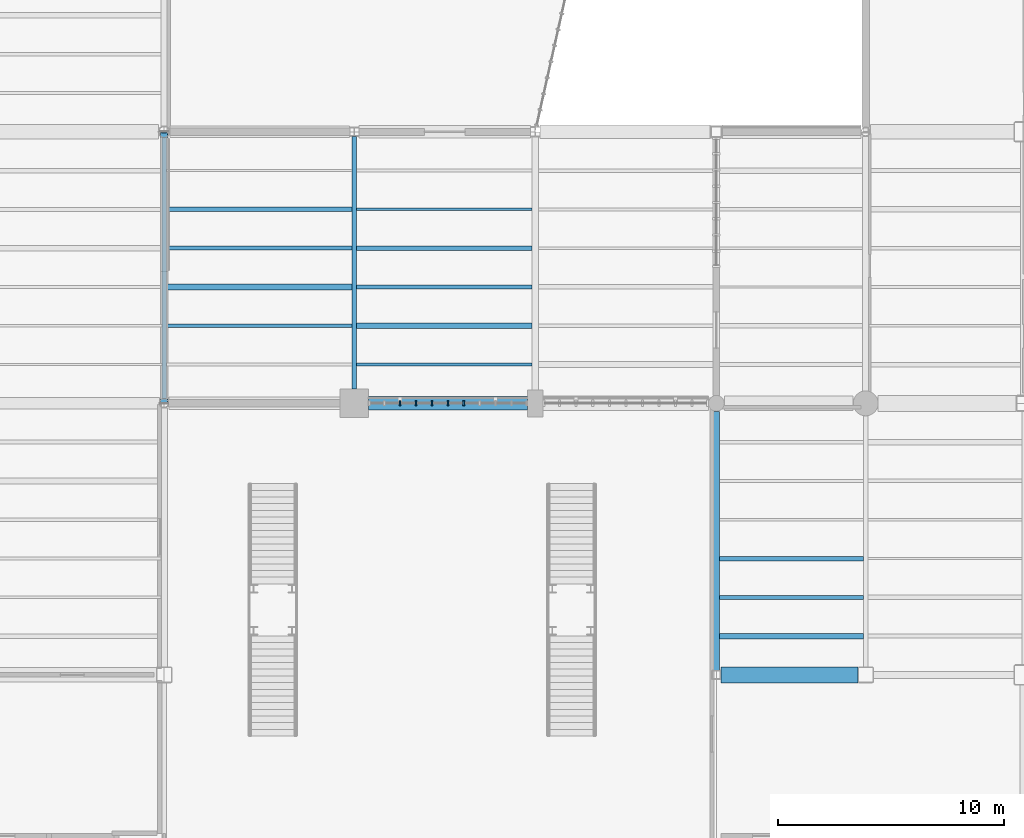
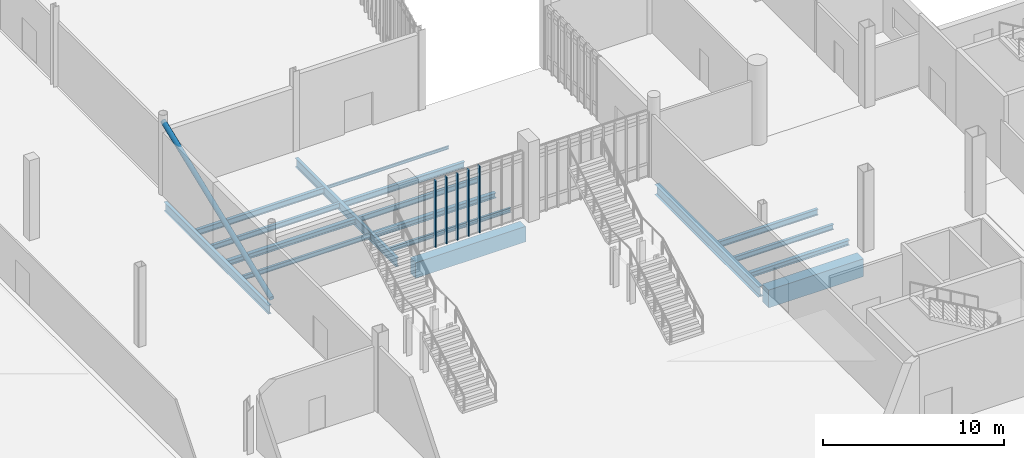
# One storey, part 21 of 111: 17 beams, 6 members, 1 element without a shape of its own.
"""IFC4 building model written with IfcOpenShell, lengths in metres."""

from ifc_helpers import new_model, si_unit, direction, frame, origin, origin_2d, place, context, subcontext, project, spatial, rectangle, hollow_circle, i_section, extrude, material, material_profile, profile_set, type_object, element, aggregate, save


model = new_model("IFC4")

# Units and contexts
model_context = context("Model", 3, precision=1e-05, world=origin(), true_north=direction((0.0, 1.0)))
body_context = subcontext(model_context, "Body", "Model", "MODEL_VIEW")
ifc_project = project(units=[si_unit("LENGTHUNIT", "METRE"), si_unit("AREAUNIT", "SQUARE_METRE"), si_unit("VOLUMEUNIT", "CUBIC_METRE"), si_unit("PLANEANGLEUNIT", "RADIAN"), si_unit("MASSUNIT", "GRAM", prefix="KILO")], contexts=[model_context])

# Site, building, storey
site_placement = place(None, origin())
site = spatial("IfcSite", under=ifc_project, at=site_placement, CompositionType="ELEMENT")
building_placement = place(site_placement, origin())
building = spatial("IfcBuilding", under=site, at=building_placement, Name="Larkvane Passage Sports Hall", CompositionType="ELEMENT")
storey_placement = place(building_placement, origin())
storey = spatial("IfcBuildingStorey", under=building, at=storey_placement, Name="L00", CompositionType="ELEMENT", Elevation=0.0)

# Beams
ifc_material_1 = material(Name="Concrete C50/60", Category="concrete")
ifc_material_profile_1 = material_profile(ifc_material_1, rectangle(XDim=0.60009765625, YDim=1.050048828125, at=origin_2d()), Name="RC-BM-600x1050")
ifc_profile_set_1 = profile_set([ifc_material_profile_1], Name="Concrete C50/60")
beam_type_1 = type_object("IfcBeamType", Name="BM-RC-600x1050", PredefinedType="BEAM", material=ifc_profile_set_1)
beam_1_placement = place(storey_placement, frame((102.625, 51.60009765625, -0.945068359375), z_axis=(1.0, 0.0, 0.0), x_axis=(0.0, 1.0, 0.0)))
element("IfcBeam", 1, at=beam_1_placement, inside=storey, type_object=beam_type_1, Name="Girder BM5-X-L00-G-0036", PredefinedType="BEAM", context=body_context, shape_type="SweptSolid", body=[
    extrude(rectangle(XDim=0.60009765625, YDim=1.050048828125, at=origin_2d()), origin(), (0.0, 0.0, 1.0), 7.02490234375),
])
ifc_material_profile_2 = material_profile(ifc_material_1, rectangle(XDim=0.699951171875, YDim=1.199951171875, at=origin_2d()), Name="RC-BM-700x1200")
ifc_profile_set_2 = profile_set([ifc_material_profile_2], Name="Concrete C50/60")
beam_type_2 = type_object("IfcBeamType", Name="BM-RC-700x1200", PredefinedType="BEAM", material=ifc_profile_set_2)
beam_2_placement = place(storey_placement, frame((118.199951171875, 39.60009765625, -1.02001953125), z_axis=(1.0, 0.0, 0.0), x_axis=(0.0, 1.0, 0.0)))
element("IfcBeam", 2, at=beam_2_placement, inside=storey, type_object=beam_type_2, Name="Girder BM5-X-L00-F-0026", PredefinedType="BEAM", context=body_context, shape_type="SweptSolid", body=[
    extrude(rectangle(XDim=0.699951171875, YDim=1.199951171875, at=origin_2d()), origin(), (0.0, 0.0, 1.0), 6.050048828125),
])
ifc_material_2 = material(Name="Steel S355JR", Category="steel")
ifc_material_profile_3 = material_profile(ifc_material_2, i_section(OverallWidth=0.199951171875, OverallDepth=0.60009765625, WebThickness=0.010986328125, FlangeThickness=0.01708984375, FilletRadius=0.01806640625, at=origin_2d()), Name="H-600x200x11x17")
ifc_profile_set_3 = profile_set([ifc_material_profile_3], Name="Steel S355JR")
beam_type_3 = type_object("IfcBeamType", Name="BM-STL-H600", PredefinedType="BEAM", material=ifc_profile_set_3)
beam_3_placement = place(storey_placement, frame((93.60009765625, 51.80322265625, -0.719970703125), z_axis=(0.0, 1.0, 0.0), x_axis=(-1.0, 0.0, 0.0)))
element("IfcBeam", 3, at=beam_3_placement, inside=storey, type_object=beam_type_3, Name="Girder BM5-Y-L00-13-0117", PredefinedType="BEAM", context=body_context, shape_type="SweptSolid", body=[
    extrude(i_section(OverallWidth=0.199951171875, OverallDepth=0.60009765625, WebThickness=0.010986328125, FlangeThickness=0.01708984375, FilletRadius=0.01806640625, at=origin_2d()), origin(), (0.0, 0.0, 1.0), 11.542724609375),
])
beam_4_placement = place(storey_placement, frame((102.0, 52.22509765625, -0.719970703125), z_axis=(0.0, 1.0, 0.0), x_axis=(-1.0, 0.0, 0.0)))
element("IfcBeam", 4, at=beam_4_placement, inside=storey, type_object=beam_type_3, Name="Girder BM5-Y-L00-14-0121", PredefinedType="BEAM", context=body_context, shape_type="SweptSolid", body=[
    extrude(i_section(OverallWidth=0.199951171875, OverallDepth=0.60009765625, WebThickness=0.010986328125, FlangeThickness=0.01708984375, FilletRadius=0.01806640625, at=origin_2d()), origin(), (0.0, 0.0, 1.0), 11.16796875),
])
ifc_material_3 = material(Name="Steel S460N", Category="steel")
ifc_material_profile_4 = material_profile(ifc_material_3, i_section(OverallWidth=0.300048828125, OverallDepth=0.699951171875, WebThickness=0.012939453125, FlangeThickness=0.02392578125, FilletRadius=0.02197265625, at=origin_2d()), Name="H-700x300x13x24")
ifc_profile_set_4 = profile_set([ifc_material_profile_4], Name="Steel S460N")
beam_type_4 = type_object("IfcBeamType", Name="BM-STL-H700", PredefinedType="BEAM", material=ifc_profile_set_4)
beam_5_placement = place(storey_placement, frame((118.0, 39.800048828125, -0.77001953125), z_axis=(0.0, 1.0, 0.0), x_axis=(-1.0, 0.0, 0.0)))
element("IfcBeam", 5, at=beam_5_placement, inside=storey, type_object=beam_type_4, Name="Girder BM5-Y-L00-16-0123", PredefinedType="BEAM", context=body_context, shape_type="SweptSolid", body=[
    extrude(i_section(OverallWidth=0.300048828125, OverallDepth=0.699951171875, WebThickness=0.012939453125, FlangeThickness=0.02392578125, FilletRadius=0.02197265625, at=origin_2d()), origin(), (0.0, 0.0, 1.0), 11.449951171875),
])

# Curtain wall, members
ifc_material_4 = material(Name="Thermally broken aluminium and low-E glazing", Category="aluminium")
curtain_wall_type = type_object("IfcCurtainWallType", Name="CW-UNIT-VEIL", PredefinedType="USERDEFINED", material=ifc_material_4)
curtain_wall_placement = place(storey_placement, origin())
curtain_wall = element("IfcCurtainWall", 6, at=curtain_wall_placement, inside=storey, type_object=curtain_wall_type, Name="Curtain wall CW5-L00-017", ObjectType="UNITISED CURTAIN WALL", PredefinedType="USERDEFINED")
ifc_material_5 = material(Name="Anodised aluminium 6063-T6", Category="aluminium")
ifc_material_profile_5 = material_profile(ifc_material_5, rectangle(XDim=0.074951171875, YDim=0.22509765625, at=origin_2d()), Name="ALU-MUL-75x225")
ifc_profile_set_5 = profile_set([ifc_material_profile_5], Name="Anodised aluminium 6063-T6")
member_type_1 = type_object("IfcMemberType", Name="CW-MUL-75x225", PredefinedType="MULLION", material=ifc_profile_set_5)
member_1_placement = place(storey_placement, frame((104.027587890625, 51.60009765625, 0.0), z_axis=(0.0, 0.0, 1.0), x_axis=(1.0, 0.0, 0.0)))
member_1 = element("IfcMember", 7, at=member_1_placement, type_object=member_type_1, Name="CW-02 mullion 3", PredefinedType="MULLION", context=body_context, shape_type="SweptSolid", body=[
    extrude(rectangle(XDim=0.074951171875, YDim=0.22509765625, at=origin_2d()), origin(), (0.0, 0.0, 1.0), 4.47998046875),
])
member_2_placement = place(storey_placement, frame((104.73095703125, 51.60009765625, 0.0), z_axis=(0.0, 0.0, 1.0), x_axis=(1.0, 0.0, 0.0)))
member_2 = element("IfcMember", 8, at=member_2_placement, type_object=member_type_1, Name="CW-02 mullion 4", PredefinedType="MULLION", context=body_context, shape_type="SweptSolid", body=[
    extrude(rectangle(XDim=0.074951171875, YDim=0.22509765625, at=origin_2d()), origin(), (0.0, 0.0, 1.0), 4.47998046875),
])
member_3_placement = place(storey_placement, frame((105.43408203125, 51.60009765625, 0.0), z_axis=(0.0, 0.0, 1.0), x_axis=(1.0, 0.0, 0.0)))
member_3 = element("IfcMember", 9, at=member_3_placement, type_object=member_type_1, Name="CW-02 mullion 5", PredefinedType="MULLION", context=body_context, shape_type="SweptSolid", body=[
    extrude(rectangle(XDim=0.074951171875, YDim=0.22509765625, at=origin_2d()), origin(), (0.0, 0.0, 1.0), 4.47998046875),
])
member_4_placement = place(storey_placement, frame((106.137451171875, 51.60009765625, 0.0), z_axis=(0.0, 0.0, 1.0), x_axis=(1.0, 0.0, 0.0)))
member_4 = element("IfcMember", 10, at=member_4_placement, type_object=member_type_1, Name="CW-02 mullion 6", PredefinedType="MULLION", context=body_context, shape_type="SweptSolid", body=[
    extrude(rectangle(XDim=0.074951171875, YDim=0.22509765625, at=origin_2d()), origin(), (0.0, 0.0, 1.0), 4.47998046875),
])
member_5_placement = place(storey_placement, frame((106.8408203125, 51.60009765625, 0.0), z_axis=(0.0, 0.0, 1.0), x_axis=(1.0, 0.0, 0.0)))
member_5 = element("IfcMember", 11, at=member_5_placement, type_object=member_type_1, Name="CW-02 mullion 7", PredefinedType="MULLION", context=body_context, shape_type="SweptSolid", body=[
    extrude(rectangle(XDim=0.074951171875, YDim=0.22509765625, at=origin_2d()), origin(), (0.0, 0.0, 1.0), 4.47998046875),
])
aggregate(curtain_wall, [member_1, member_2, member_3, member_4, member_5])

# Beams
ifc_material_profile_6 = material_profile(ifc_material_2, i_section(OverallWidth=0.10009765625, OverallDepth=0.199951171875, WebThickness=0.005615234375, FlangeThickness=0.008056640625, FilletRadius=0.008056640625, at=origin_2d()), Name="H-200x100x5.5x8")
ifc_profile_set_6 = profile_set([ifc_material_profile_6], Name="Steel S355JR")
beam_type_5 = type_object("IfcBeamType", Name="JST-STL-H200", PredefinedType="JOIST", material=ifc_profile_set_6)
beam_6_placement = place(storey_placement, frame((102.10009765625, 60.17138671875, -0.52001953125), z_axis=(1.0, 0.0, 0.0), x_axis=(0.0, 1.0, 0.0)))
element("IfcBeam", 12, at=beam_6_placement, inside=storey, type_object=beam_type_5, Name="Composite joist L00 14/G-5", PredefinedType="JOIST", context=body_context, shape_type="SweptSolid", body=[
    extrude(i_section(OverallWidth=0.10009765625, OverallDepth=0.199951171875, WebThickness=0.005615234375, FlangeThickness=0.008056640625, FilletRadius=0.008056640625, at=origin_2d()), origin(), (0.0, 0.0, 1.0), 7.75),
])
ifc_material_profile_7 = material_profile(ifc_material_2, i_section(OverallWidth=0.14990234375, OverallDepth=0.300048828125, WebThickness=0.006591796875, FlangeThickness=0.009033203125, FilletRadius=0.012939453125, at=origin_2d()), Name="H-300x150x6.5x9")
ifc_profile_set_7 = profile_set([ifc_material_profile_7], Name="Steel S355JR")
beam_type_6 = type_object("IfcBeamType", Name="JST-STL-H300", PredefinedType="JOIST", material=ifc_profile_set_7)
beam_7_placement = place(storey_placement, frame((93.699951171875, 55.028564453125, -0.570068359375), z_axis=(1.0, 0.0, 0.0), x_axis=(0.0, 1.0, 0.0)))
element("IfcBeam", 13, at=beam_7_placement, inside=storey, type_object=beam_type_6, Name="Composite joist L00 13/G-2", PredefinedType="JOIST", context=body_context, shape_type="SweptSolid", body=[
    extrude(i_section(OverallWidth=0.14990234375, OverallDepth=0.300048828125, WebThickness=0.006591796875, FlangeThickness=0.009033203125, FilletRadius=0.012939453125, at=origin_2d()), origin(), (0.0, 0.0, 1.0), 8.199951171875),
])
beam_8_placement = place(storey_placement, frame((102.10009765625, 53.314208984375, -0.570068359375), z_axis=(1.0, 0.0, 0.0), x_axis=(0.0, 1.0, 0.0)))
element("IfcBeam", 14, at=beam_8_placement, inside=storey, type_object=beam_type_6, Name="Composite joist L00 14/G-1", PredefinedType="JOIST", context=body_context, shape_type="SweptSolid", body=[
    extrude(i_section(OverallWidth=0.14990234375, OverallDepth=0.300048828125, WebThickness=0.006591796875, FlangeThickness=0.009033203125, FilletRadius=0.012939453125, at=origin_2d()), origin(), (0.0, 0.0, 1.0), 7.75),
])
ifc_material_profile_8 = material_profile(ifc_material_2, i_section(OverallWidth=0.25, OverallDepth=0.340087890625, WebThickness=0.009033203125, FlangeThickness=0.013916015625, FilletRadius=0.012939453125, at=origin_2d()), Name="H-340x250x9x14")
ifc_profile_set_8 = profile_set([ifc_material_profile_8], Name="Steel S355JR")
beam_type_7 = type_object("IfcBeamType", Name="JST-STL-H340", PredefinedType="JOIST", material=ifc_profile_set_8)
beam_9_placement = place(storey_placement, frame((93.699951171875, 56.742919921875, -0.590087890625), z_axis=(1.0, 0.0, 0.0), x_axis=(0.0, 1.0, 0.0)))
element("IfcBeam", 15, at=beam_9_placement, inside=storey, type_object=beam_type_7, Name="Composite joist L00 13/G-3", PredefinedType="JOIST", context=body_context, shape_type="SweptSolid", body=[
    extrude(i_section(OverallWidth=0.25, OverallDepth=0.340087890625, WebThickness=0.009033203125, FlangeThickness=0.013916015625, FilletRadius=0.012939453125, at=origin_2d()), origin(), (0.0, 0.0, 1.0), 8.199951171875),
])
beam_10_placement = place(storey_placement, frame((102.10009765625, 55.028564453125, -0.590087890625), z_axis=(1.0, 0.0, 0.0), x_axis=(0.0, 1.0, 0.0)))
element("IfcBeam", 16, at=beam_10_placement, inside=storey, type_object=beam_type_7, Name="Composite joist L00 14/G-2", PredefinedType="JOIST", context=body_context, shape_type="SweptSolid", body=[
    extrude(i_section(OverallWidth=0.25, OverallDepth=0.340087890625, WebThickness=0.009033203125, FlangeThickness=0.013916015625, FilletRadius=0.012939453125, at=origin_2d()), origin(), (0.0, 0.0, 1.0), 7.75),
])
beam_11_placement = place(storey_placement, frame((118.14990234375, 41.314208984375, -0.590087890625), z_axis=(1.0, 0.0, 0.0), x_axis=(0.0, 1.0, 0.0)))
element("IfcBeam", 17, at=beam_11_placement, inside=storey, type_object=beam_type_7, Name="Composite joist L00 16/F-1", PredefinedType="JOIST", context=body_context, shape_type="SweptSolid", body=[
    extrude(i_section(OverallWidth=0.25, OverallDepth=0.340087890625, WebThickness=0.009033203125, FlangeThickness=0.013916015625, FilletRadius=0.012939453125, at=origin_2d()), origin(), (0.0, 0.0, 1.0), 6.35009765625),
])
ifc_material_profile_9 = material_profile(ifc_material_2, i_section(OverallWidth=0.175048828125, OverallDepth=0.35009765625, WebThickness=0.007080078125, FlangeThickness=0.010986328125, FilletRadius=0.012939453125, at=origin_2d()), Name="H-350x175x7x11")
ifc_profile_set_9 = profile_set([ifc_material_profile_9], Name="Steel S355JR")
beam_type_8 = type_object("IfcBeamType", Name="JST-STL-H350", PredefinedType="JOIST", material=ifc_profile_set_9)
beam_12_placement = place(storey_placement, frame((93.699951171875, 58.45703125, -0.594970703125), z_axis=(1.0, 0.0, 0.0), x_axis=(0.0, 1.0, 0.0)))
element("IfcBeam", 18, at=beam_12_placement, inside=storey, type_object=beam_type_8, Name="Composite joist L00 13/G-4", PredefinedType="JOIST", context=body_context, shape_type="SweptSolid", body=[
    extrude(i_section(OverallWidth=0.175048828125, OverallDepth=0.35009765625, WebThickness=0.007080078125, FlangeThickness=0.010986328125, FilletRadius=0.012939453125, at=origin_2d()), origin(), (0.0, 0.0, 1.0), 8.199951171875),
])
beam_13_placement = place(storey_placement, frame((102.10009765625, 56.742919921875, -0.594970703125), z_axis=(1.0, 0.0, 0.0), x_axis=(0.0, 1.0, 0.0)))
element("IfcBeam", 19, at=beam_13_placement, inside=storey, type_object=beam_type_8, Name="Composite joist L00 14/G-3", PredefinedType="JOIST", context=body_context, shape_type="SweptSolid", body=[
    extrude(i_section(OverallWidth=0.175048828125, OverallDepth=0.35009765625, WebThickness=0.007080078125, FlangeThickness=0.010986328125, FilletRadius=0.012939453125, at=origin_2d()), origin(), (0.0, 0.0, 1.0), 7.75),
])
beam_14_placement = place(storey_placement, frame((118.14990234375, 43.028564453125, -0.594970703125), z_axis=(1.0, 0.0, 0.0), x_axis=(0.0, 1.0, 0.0)))
element("IfcBeam", 20, at=beam_14_placement, inside=storey, type_object=beam_type_8, Name="Composite joist L00 16/F-2", PredefinedType="JOIST", context=body_context, shape_type="SweptSolid", body=[
    extrude(i_section(OverallWidth=0.175048828125, OverallDepth=0.35009765625, WebThickness=0.007080078125, FlangeThickness=0.010986328125, FilletRadius=0.012939453125, at=origin_2d()), origin(), (0.0, 0.0, 1.0), 6.35009765625),
])
ifc_material_profile_10 = material_profile(ifc_material_2, i_section(OverallWidth=0.199951171875, OverallDepth=0.39990234375, WebThickness=0.008056640625, FlangeThickness=0.012939453125, FilletRadius=0.012939453125, at=origin_2d()), Name="H-400x200x8x13")
ifc_profile_set_10 = profile_set([ifc_material_profile_10], Name="Steel S355JR")
beam_type_9 = type_object("IfcBeamType", Name="JST-STL-H400", PredefinedType="JOIST", material=ifc_profile_set_10)
beam_15_placement = place(storey_placement, frame((93.699951171875, 60.17138671875, -0.6201171875), z_axis=(1.0, 0.0, 0.0), x_axis=(0.0, 1.0, 0.0)))
element("IfcBeam", 21, at=beam_15_placement, inside=storey, type_object=beam_type_9, Name="Composite joist L00 13/G-5", PredefinedType="JOIST", context=body_context, shape_type="SweptSolid", body=[
    extrude(i_section(OverallWidth=0.199951171875, OverallDepth=0.39990234375, WebThickness=0.008056640625, FlangeThickness=0.012939453125, FilletRadius=0.012939453125, at=origin_2d()), origin(), (0.0, 0.0, 1.0), 8.199951171875),
])
beam_16_placement = place(storey_placement, frame((102.10009765625, 58.45703125, -0.6201171875), z_axis=(1.0, 0.0, 0.0), x_axis=(0.0, 1.0, 0.0)))
element("IfcBeam", 22, at=beam_16_placement, inside=storey, type_object=beam_type_9, Name="Composite joist L00 14/G-4", PredefinedType="JOIST", context=body_context, shape_type="SweptSolid", body=[
    extrude(i_section(OverallWidth=0.199951171875, OverallDepth=0.39990234375, WebThickness=0.008056640625, FlangeThickness=0.012939453125, FilletRadius=0.012939453125, at=origin_2d()), origin(), (0.0, 0.0, 1.0), 7.75),
])
beam_17_placement = place(storey_placement, frame((118.14990234375, 44.742919921875, -0.6201171875), z_axis=(1.0, 0.0, 0.0), x_axis=(0.0, 1.0, 0.0)))
element("IfcBeam", 23, at=beam_17_placement, inside=storey, type_object=beam_type_9, Name="Composite joist L00 16/F-3", PredefinedType="JOIST", context=body_context, shape_type="SweptSolid", body=[
    extrude(i_section(OverallWidth=0.199951171875, OverallDepth=0.39990234375, WebThickness=0.008056640625, FlangeThickness=0.012939453125, FilletRadius=0.012939453125, at=origin_2d()), origin(), (0.0, 0.0, 1.0), 6.35009765625),
])

# Member
ifc_material_profile_11 = material_profile(ifc_material_3, hollow_circle(Radius=0.1591796875, WallThickness=0.01025390625, at=origin_2d()), Name="CHS-318.5x10.3")
ifc_profile_set_11 = profile_set([ifc_material_profile_11], Name="Steel S460N")
member_type_2 = type_object("IfcMemberType", Name="MBR-BR-CHS318", PredefinedType="BRACE", material=ifc_profile_set_11)
member_6_placement = place(storey_placement, frame((93.60009765625, 51.60009765625, 0.14990234375), z_axis=(0.0, 0.931123104416, 0.364705037561), x_axis=(-1.0, 0.0, 0.0)))
element("IfcMember", 24, at=member_6_placement, inside=storey, type_object=member_type_2, Name="Lateral frame brace L00-3", PredefinedType="BRACE", context=body_context, shape_type="SweptSolid", body=[
    extrude(hollow_circle(Radius=0.1591796875, WallThickness=0.01025390625, at=origin_2d()), origin(), (0.0, 0.0, 1.0), 12.8876953125),
])

save(model, "model.ifc")
